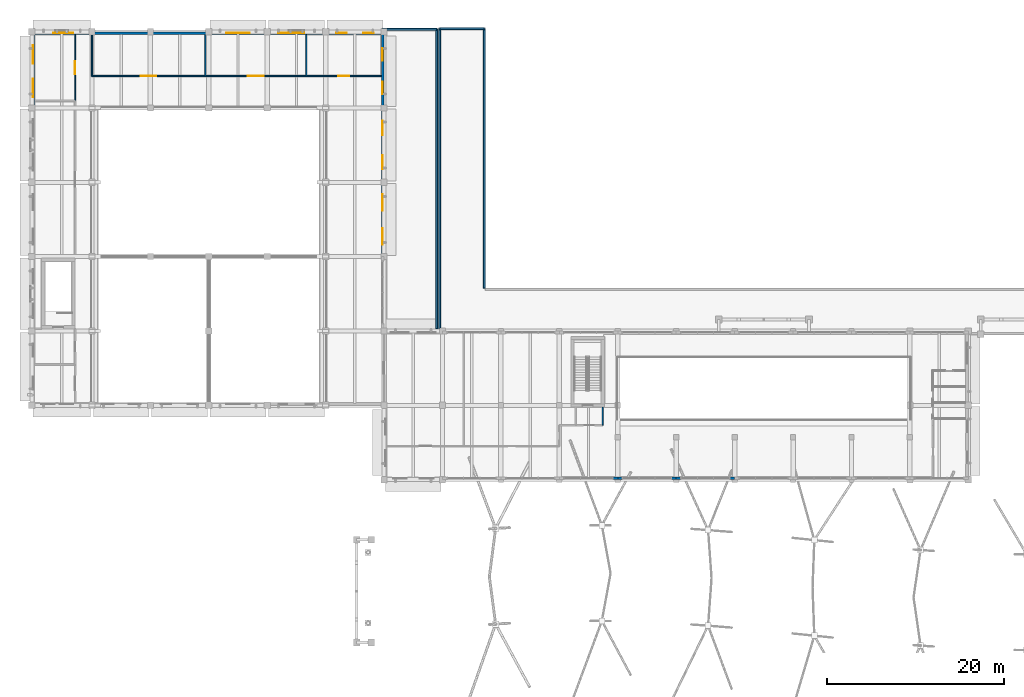
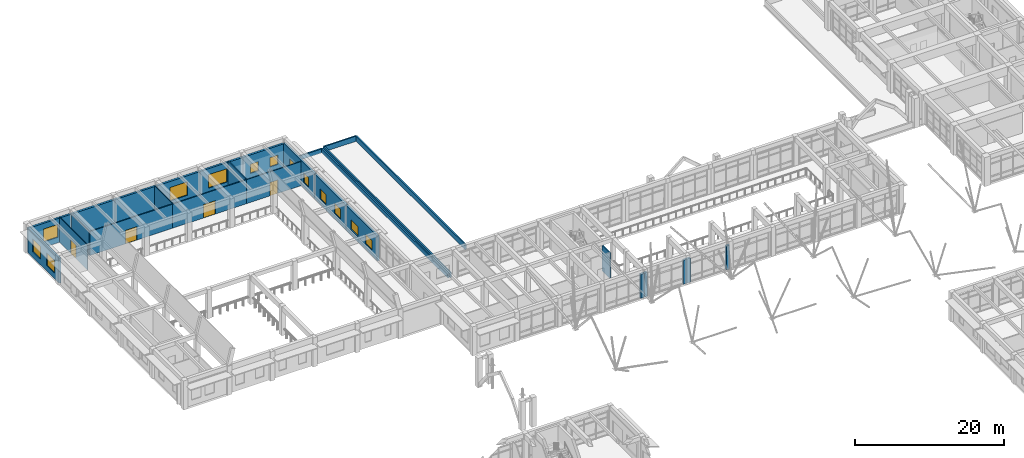
# One storey, part 48 of 75: 28 walls, 13 windows, 4 doors, 17 openings.
"""IFC4 building model written with IfcOpenShell, lengths in metres."""

from ifc_helpers import new_model, si_unit, direction, frame, frame_2d, origin, place, context, subcontext, project, spatial, rectangle, extrude, material, layer, layer_set, type_object, element, fill, save


model = new_model("IFC4")

# Units and contexts
model_context = context("Model", 3, precision=1e-05, world=origin(), true_north=direction((0.0, 1.0)))
body_context = subcontext(model_context, "Body", "Model", "MODEL_VIEW")
ifc_project = project(units=[si_unit("LENGTHUNIT", "METRE"), si_unit("AREAUNIT", "SQUARE_METRE"), si_unit("VOLUMEUNIT", "CUBIC_METRE"), si_unit("PLANEANGLEUNIT", "RADIAN"), si_unit("MASSUNIT", "GRAM", prefix="KILO")], contexts=[model_context])

# Site, building, storey
site_placement = place(None, origin())
site = spatial("IfcSite", under=ifc_project, at=site_placement, CompositionType="ELEMENT")
building_placement = place(site_placement, origin())
building = spatial("IfcBuilding", under=site, at=building_placement, Name="Kolvaren Faculty of Natural Sciences", CompositionType="ELEMENT")
storey_placement = place(building_placement, frame((0.0, 0.0, 5.39990234375)))
storey = spatial("IfcBuildingStorey", under=building, at=storey_placement, Name="L01", CompositionType="ELEMENT", Elevation=5.39990234375)

# Wall
ifc_material_1 = material(Name="Acoustic mineral-wool insulated gypsum partition")
ifc_layer_1 = layer(ifc_material_1, 0.139892578125)
ifc_layer_set_1 = layer_set([ifc_layer_1], Name="Acoustic mineral-wool insulated gypsum partition")
wall_type_1 = type_object("IfcWallType", Name="CommonsPartitionWall_140", PredefinedType="PARTITIONING", material=ifc_layer_set_1)
wall_1_placement = place(storey_placement, frame((31.0, 117.677978515625, 0.0), z_axis=(0.0, 0.0, 1.0), x_axis=(0.0, -1.0, 0.0)))
element("IfcWall", 1, at=wall_1_placement, inside=storey, type_object=wall_type_1, Name="L01 interior partition PW-140", PredefinedType="PARTITIONING", context=body_context, shape_type="SweptSolid", body=[
    extrude(rectangle(XDim=4.677978515625, YDim=0.139892578125, at=frame_2d((2.3388671875, 0.0))), origin(), (0.0, 0.0, 1.0), 4.085205078125),
])

# Wall, opening, door
wall_2_placement = place(storey_placement, frame((31.0, 113.0, 0.0), z_axis=(0.0, 0.0, 1.0), x_axis=(-1.0, 0.0, 0.0)))
wall_2 = element("IfcWall", 2, at=wall_2_placement, inside=storey, type_object=wall_type_1, Name="L01 interior partition PW-140", PredefinedType="PARTITIONING", context=body_context, shape_type="SweptSolid", body=[
    extrude(rectangle(XDim=11.39990234375, YDim=0.139892578125, at=frame_2d((5.699951171875, 0.0))), origin(), (0.0, 0.0, 1.0), 3.93505859375),
])
opening_1_placement = place(wall_2_placement, frame((4.7900390625, 0.0, 0.0)))
opening_1 = element("IfcOpeningElement", 3, at=opening_1_placement, cuts=wall_2, Name="Opening ID-36", PredefinedType="OPENING", context=body_context, shape_type="SweptSolid", body=[
    extrude(rectangle(XDim=1.820068359375, YDim=2.199951171875, at=frame_2d((0.91015625, 1.10009765625))), frame((0.0, 0.079833984375, 0.0), z_axis=(0.0, -1.0, 0.0), x_axis=(1.0, 0.0, 0.0)), (0.0, 0.0, 1.0), 0.159912109375),
])
ifc_material_2 = material(Name="Thermally broken anodised aluminium glazed door", Category="aluminium")
door_type_1 = type_object("IfcDoorType", Name="InteriorRoomDoor_1820x2200", OperationType="DOUBLE_DOOR_SINGLE_SWING", PredefinedType="DOOR", material=ifc_material_2)
door_1_placement = place(opening_1_placement, origin())
door_1 = element("IfcDoor", 4, at=door_1_placement, inside=storey, type_object=door_type_1, Name="D-L01-0120", OperationType="DOUBLE_DOOR_SINGLE_SWING", OverallHeight=2.199951171875, OverallWidth=1.820068359375, PredefinedType="DOOR", context=body_context, shape_type="SweptSolid", body=[
    extrude(rectangle(XDim=1.820068359375, YDim=2.199951171875, at=frame_2d((0.91015625, 1.10009765625))), frame((0.0, 0.02490234375, 0.0), z_axis=(0.0, -1.0, 0.0), x_axis=(1.0, 0.0, 0.0)), (0.0, 0.0, 1.0), 0.050048828125),
])
fill(opening_1, door_1)

# Walls
ifc_layer_2 = layer(ifc_material_1, 0.14501953125)
ifc_layer_set_2 = layer_set([ifc_layer_2], Name="Acoustic mineral-wool insulated gypsum partition")
wall_type_2 = type_object("IfcWallType", Name="CommonsPartitionWall_145", PredefinedType="PARTITIONING", material=ifc_layer_set_2)
wall_3_placement = place(storey_placement, frame((6.800048828125, 113.0, 0.0), z_axis=(0.0, 0.0, 1.0), x_axis=(0.0, 1.0, 0.0)))
element("IfcWall", 5, at=wall_3_placement, inside=storey, type_object=wall_type_2, Name="L01 interior partition PW-145", PredefinedType="PARTITIONING", context=body_context, shape_type="SweptSolid", body=[
    extrude(rectangle(XDim=4.64990234375, YDim=0.14501953125, at=frame_2d((2.324951171875, 0.0))), origin(), (0.0, 0.0, 1.0), 3.93505859375),
])
wall_4_placement = place(storey_placement, frame((19.60009765625, 117.677978515625, 0.0), z_axis=(0.0, 0.0, 1.0), x_axis=(0.0, -1.0, 0.0)))
element("IfcWall", 6, at=wall_4_placement, inside=storey, type_object=wall_type_2, Name="L01 interior partition PW-145", PredefinedType="PARTITIONING", context=body_context, shape_type="SweptSolid", body=[
    extrude(rectangle(XDim=4.677978515625, YDim=0.14501953125, at=frame_2d((2.3388671875, 0.0))), origin(), (0.0, 0.0, 1.0), 4.085205078125),
])

# Wall, opening, door
wall_5_placement = place(storey_placement, frame((19.60009765625, 113.0, 0.0), z_axis=(0.0, 0.0, 1.0), x_axis=(-1.0, 0.0, 0.0)))
wall_5 = element("IfcWall", 7, at=wall_5_placement, inside=storey, type_object=wall_type_2, Name="L01 interior partition PW-145", PredefinedType="PARTITIONING", context=body_context, shape_type="SweptSolid", body=[
    extrude(rectangle(XDim=12.800048828125, YDim=0.14501953125, at=frame_2d((6.39990234375, 0.0))), origin(), (0.0, 0.0, 1.0), 3.93505859375),
])
opening_2_placement = place(wall_5_placement, frame((5.530029296875, 0.0, 0.0)))
opening_2 = element("IfcOpeningElement", 8, at=opening_2_placement, cuts=wall_5, Name="Opening ID-35", PredefinedType="OPENING", context=body_context, shape_type="SweptSolid", body=[
    extrude(rectangle(XDim=1.739990234375, YDim=2.199951171875, at=frame_2d((0.8701171875, 1.10009765625))), frame((0.0, 0.08251953125, 0.0), z_axis=(0.0, -1.0, 0.0), x_axis=(1.0, 0.0, 0.0)), (0.0, 0.0, 1.0), 0.1650390625),
])
door_type_2 = type_object("IfcDoorType", Name="InteriorRoomDoor_1740x2200", OperationType="DOUBLE_DOOR_SINGLE_SWING", PredefinedType="DOOR", material=ifc_material_2)
door_2_placement = place(opening_2_placement, origin())
door_2 = element("IfcDoor", 9, at=door_2_placement, inside=storey, type_object=door_type_2, Name="D-L01-0119", OperationType="DOUBLE_DOOR_SINGLE_SWING", OverallHeight=2.199951171875, OverallWidth=1.739990234375, PredefinedType="DOOR", context=body_context, shape_type="SweptSolid", body=[
    extrude(rectangle(XDim=1.739990234375, YDim=2.199951171875, at=frame_2d((0.8701171875, 1.10009765625))), frame((0.0, 0.02490234375, 0.0), z_axis=(0.0, -1.0, 0.0), x_axis=(1.0, 0.0, 0.0)), (0.0, 0.0, 1.0), 0.050048828125),
])
fill(opening_2, door_2)

# Wall, openings, windows
ifc_material_3 = material(Name="Sandstone-faced insulated cavity masonry", Category="masonry")
ifc_layer_3 = layer(ifc_material_3, 0.320068359375)
ifc_layer_set_3 = layer_set([ifc_layer_3], Name="Sandstone-faced insulated cavity masonry")
wall_type_3 = type_object("IfcWallType", Name="ExteriorCavityWall_320", PredefinedType="STANDARD", material=ifc_layer_set_3)
wall_6_placement = place(storey_placement, frame((0.159912109375, 109.39990234375, 0.0), z_axis=(0.0, 0.0, 1.0), x_axis=(0.0, 1.0, 0.0)))
wall_6 = element("IfcWall", 10, at=wall_6_placement, inside=storey, type_object=wall_type_3, Name="L01 exterior masonry wall EW-320 (261)", PredefinedType="STANDARD", context=body_context, shape_type="SweptSolid", body=[
    extrude(rectangle(XDim=8.280029296875, YDim=0.320068359375, at=frame_2d((4.14013671875, 0.0))), origin(), (0.0, 0.0, 1.0), 4.085205078125),
])
opening_3_placement = place(wall_6_placement, frame((1.185546875, 0.0, 0.89990234375)))
opening_3 = element("IfcOpeningElement", 11, at=opening_3_placement, cuts=wall_6, Name="Opening WIN-07", PredefinedType="OPENING", context=body_context, shape_type="SweptSolid", body=[
    extrude(rectangle(XDim=2.10009765625, YDim=2.10009765625, at=frame_2d((1.050048828125, 1.050048828125))), frame((0.0, 0.169921875, 0.0), z_axis=(0.0, -1.0, 0.0), x_axis=(1.0, 0.0, 0.0)), (0.0, 0.0, 1.0), 0.340087890625),
])
opening_4_placement = place(wall_6_placement, frame((4.994384765625, 0.0, 0.89990234375)))
opening_4 = element("IfcOpeningElement", 12, at=opening_4_placement, cuts=wall_6, Name="Opening WIN-07", PredefinedType="OPENING", context=body_context, shape_type="SweptSolid", body=[
    extrude(rectangle(XDim=2.10009765625, YDim=2.10009765625, at=frame_2d((1.050048828125, 1.050048828125))), frame((0.0, 0.169921875, 0.0), z_axis=(0.0, -1.0, 0.0), x_axis=(1.0, 0.0, 0.0)), (0.0, 0.0, 1.0), 0.340087890625),
])
ifc_material_4 = material(Name="Double low-E solar control insulated glazing", Category="glass")
window_type_1 = type_object("IfcWindowType", Name="AluWindow_WIN07_2100x2100", PartitioningType="SINGLE_PANEL", PredefinedType="WINDOW", material=ifc_material_4)
window_1_placement = place(opening_3_placement, origin())
window_1 = element("IfcWindow", 13, at=window_1_placement, inside=storey, type_object=window_type_1, Name="WIN-L01-0225", OverallHeight=2.10009765625, OverallWidth=2.10009765625, PartitioningType="SINGLE_PANEL", PredefinedType="WINDOW", context=body_context, shape_type="SweptSolid", body=[
    extrude(rectangle(XDim=2.10009765625, YDim=2.10009765625, at=frame_2d((1.050048828125, 1.050048828125))), frame((0.0, 0.030029296875, 0.0), z_axis=(0.0, -1.0, 0.0), x_axis=(1.0, 0.0, 0.0)), (0.0, 0.0, 1.0), 0.06005859375),
])
fill(opening_3, window_1)
window_2_placement = place(opening_4_placement, origin())
window_2 = element("IfcWindow", 14, at=window_2_placement, inside=storey, type_object=window_type_1, Name="WIN-L01-0226", OverallHeight=2.10009765625, OverallWidth=2.10009765625, PartitioningType="SINGLE_PANEL", PredefinedType="WINDOW", context=body_context, shape_type="SweptSolid", body=[
    extrude(rectangle(XDim=2.10009765625, YDim=2.10009765625, at=frame_2d((1.050048828125, 1.050048828125))), frame((0.0, 0.030029296875, 0.0), z_axis=(0.0, -1.0, 0.0), x_axis=(1.0, 0.0, 0.0)), (0.0, 0.0, 1.0), 0.06005859375),
])
fill(opening_4, window_2)

# Wall, opening, window
wall_7_placement = place(storey_placement, frame((0.0, 117.840087890625, 0.0), z_axis=(0.0, 0.0, 1.0), x_axis=(1.0, 0.0, 0.0)))
wall_7 = element("IfcWall", 15, at=wall_7_placement, inside=storey, type_object=wall_type_3, Name="L01 exterior masonry wall EW-320 (262)", PredefinedType="STANDARD", context=body_context, shape_type="SweptSolid", body=[
    extrude(rectangle(XDim=6.800048828125, YDim=0.320068359375, at=frame_2d((3.39990234375, 0.0))), origin(), (0.0, 0.0, 1.0), 3.93505859375),
])
opening_5_placement = place(wall_7_placement, frame((2.409912109375, 0.0, 0.89990234375)))
opening_5 = element("IfcOpeningElement", 16, at=opening_5_placement, cuts=wall_7, Name="Opening WIN-08", PredefinedType="OPENING", context=body_context, shape_type="SweptSolid", body=[
    extrude(rectangle(XDim=2.25, YDim=2.10009765625, at=frame_2d((1.125, 1.050048828125))), frame((0.0, 0.169921875, 0.0), z_axis=(0.0, -1.0, 0.0), x_axis=(1.0, 0.0, 0.0)), (0.0, 0.0, 1.0), 0.340087890625),
])
window_type_2 = type_object("IfcWindowType", Name="AluWindow_WIN08_2250x2100", PartitioningType="SINGLE_PANEL", PredefinedType="WINDOW", material=ifc_material_4)
window_3_placement = place(opening_5_placement, origin())
window_3 = element("IfcWindow", 17, at=window_3_placement, inside=storey, type_object=window_type_2, Name="WIN-L01-0227", OverallHeight=2.10009765625, OverallWidth=2.25, PartitioningType="SINGLE_PANEL", PredefinedType="WINDOW", context=body_context, shape_type="SweptSolid", body=[
    extrude(rectangle(XDim=2.25, YDim=2.10009765625, at=frame_2d((1.125, 1.050048828125))), frame((0.0, 0.030029296875, 0.0), z_axis=(0.0, -1.0, 0.0), x_axis=(1.0, 0.0, 0.0)), (0.0, 0.0, 1.0), 0.06005859375),
])
fill(opening_5, window_3)

# Walls
wall_8_placement = place(storey_placement, frame((6.800048828125, 117.840087890625, 0.0), z_axis=(0.0, 0.0, 1.0), x_axis=(1.0, 0.0, 0.0)))
element("IfcWall", 18, at=wall_8_placement, inside=storey, type_object=wall_type_3, Name="L01 exterior masonry wall EW-320 (263)", PredefinedType="STANDARD", context=body_context, shape_type="SweptSolid", body=[
    extrude(rectangle(XDim=6.599853515625, YDim=0.320068359375, at=frame_2d((3.2998046875, 0.0))), origin(), (0.0, 0.0, 1.0), 3.93505859375),
])
wall_9_placement = place(storey_placement, frame((13.39990234375, 117.840087890625, 0.0), z_axis=(0.0, 0.0, 1.0), x_axis=(1.0, 0.0, 0.0)))
element("IfcWall", 19, at=wall_9_placement, inside=storey, type_object=wall_type_3, Name="L01 exterior masonry wall EW-320 (264)", PredefinedType="STANDARD", context=body_context, shape_type="SweptSolid", body=[
    extrude(rectangle(XDim=6.60009765625, YDim=0.320068359375, at=frame_2d((3.300048828125, 0.0))), origin(), (0.0, 0.0, 1.0), 3.93505859375),
])

# Wall, opening, window
wall_10_placement = place(storey_placement, frame((20.0, 117.840087890625, 0.0), z_axis=(0.0, 0.0, 1.0), x_axis=(1.0, 0.0, 0.0)))
wall_10 = element("IfcWall", 20, at=wall_10_placement, inside=storey, type_object=wall_type_3, Name="L01 exterior masonry wall EW-320 (265)", PredefinedType="STANDARD", context=body_context, shape_type="SweptSolid", body=[
    extrude(rectangle(XDim=6.60009765625, YDim=0.320068359375, at=frame_2d((3.300048828125, 0.0))), origin(), (0.0, 0.0, 1.0), 3.93505859375),
])
opening_6_placement = place(wall_10_placement, frame((1.949951171875, 0.0, 0.75)))
opening_6 = element("IfcOpeningElement", 21, at=opening_6_placement, cuts=wall_10, Name="Opening WIN-11", PredefinedType="OPENING", context=body_context, shape_type="SweptSolid", body=[
    extrude(rectangle(XDim=2.699951171875, YDim=2.199951171875, at=frame_2d((1.35009765625, 1.10009765625))), frame((0.0, 0.169921875, 0.0), z_axis=(0.0, -1.0, 0.0), x_axis=(1.0, 0.0, 0.0)), (0.0, 0.0, 1.0), 0.340087890625),
])
window_type_3 = type_object("IfcWindowType", Name="AluWindow_WIN11_2700x2200", PartitioningType="SINGLE_PANEL", PredefinedType="WINDOW", material=ifc_material_4)
window_4_placement = place(opening_6_placement, origin())
window_4 = element("IfcWindow", 22, at=window_4_placement, inside=storey, type_object=window_type_3, Name="WIN-L01-0228", OverallHeight=2.199951171875, OverallWidth=2.699951171875, PartitioningType="SINGLE_PANEL", PredefinedType="WINDOW", context=body_context, shape_type="SweptSolid", body=[
    extrude(rectangle(XDim=2.699951171875, YDim=2.199951171875, at=frame_2d((1.35009765625, 1.10009765625))), frame((0.0, 0.030029296875, 0.0), z_axis=(0.0, -1.0, 0.0), x_axis=(1.0, 0.0, 0.0)), (0.0, 0.0, 1.0), 0.06005859375),
])
fill(opening_6, window_4)

wall_11_placement = place(storey_placement, frame((26.60009765625, 117.840087890625, 0.0), z_axis=(0.0, 0.0, 1.0), x_axis=(1.0, 0.0, 0.0)))
wall_11 = element("IfcWall", 23, at=wall_11_placement, inside=storey, type_object=wall_type_3, Name="L01 exterior masonry wall EW-320 (266)", PredefinedType="STANDARD", context=body_context, shape_type="SweptSolid", body=[
    extrude(rectangle(XDim=6.599853515625, YDim=0.320068359375, at=frame_2d((3.2998046875, 0.0))), origin(), (0.0, 0.0, 1.0), 3.93505859375),
])
opening_7_placement = place(wall_11_placement, frame((1.260009765625, 0.0, 0.75)))
opening_7 = element("IfcOpeningElement", 24, at=opening_7_placement, cuts=wall_11, Name="Opening WIN-12", PredefinedType="OPENING", context=body_context, shape_type="SweptSolid", body=[
    extrude(rectangle(XDim=2.89990234375, YDim=2.199951171875, at=frame_2d((1.449951171875, 1.10009765625))), frame((0.0, 0.169921875, 0.0), z_axis=(0.0, -1.0, 0.0), x_axis=(1.0, 0.0, 0.0)), (0.0, 0.0, 1.0), 0.340087890625),
])
window_type_4 = type_object("IfcWindowType", Name="AluWindow_WIN12_2900x2200", PartitioningType="SINGLE_PANEL", PredefinedType="WINDOW", material=ifc_material_4)
window_5_placement = place(opening_7_placement, origin())
window_5 = element("IfcWindow", 25, at=window_5_placement, inside=storey, type_object=window_type_4, Name="WIN-L01-0229", OverallHeight=2.199951171875, OverallWidth=2.89990234375, PartitioningType="SINGLE_PANEL", PredefinedType="WINDOW", context=body_context, shape_type="SweptSolid", body=[
    extrude(rectangle(XDim=2.89990234375, YDim=2.199951171875, at=frame_2d((1.449951171875, 1.10009765625))), frame((0.0, 0.030029296875, 0.0), z_axis=(0.0, -1.0, 0.0), x_axis=(1.0, 0.0, 0.0)), (0.0, 0.0, 1.0), 0.06005859375),
])
fill(opening_7, window_5)

# Wall, openings, windows
wall_12_placement = place(storey_placement, frame((33.199951171875, 117.840087890625, 0.0), z_axis=(0.0, 0.0, 1.0), x_axis=(1.0, 0.0, 0.0)))
wall_12 = element("IfcWall", 26, at=wall_12_placement, inside=storey, type_object=wall_type_3, Name="L01 exterior masonry wall EW-320 (267)", PredefinedType="STANDARD", context=body_context, shape_type="SweptSolid", body=[
    extrude(rectangle(XDim=6.60009765625, YDim=0.320068359375, at=frame_2d((3.300048828125, 0.0))), origin(), (0.0, 0.0, 1.0), 3.93505859375),
])
opening_8_placement = place(wall_12_placement, frame((1.181884765625, 0.0, 0.89990234375)))
opening_8 = element("IfcOpeningElement", 27, at=opening_8_placement, cuts=wall_12, Name="Opening WIN-13", PredefinedType="OPENING", context=body_context, shape_type="SweptSolid", body=[
    extrude(rectangle(XDim=1.199951171875, YDim=1.5, at=frame_2d((0.60009765625, 0.75))), frame((0.0, 0.169921875, 0.0), z_axis=(0.0, -1.0, 0.0), x_axis=(1.0, 0.0, 0.0)), (0.0, 0.0, 1.0), 0.340087890625),
])
opening_9_placement = place(wall_12_placement, frame((4.218017578125, 0.0, 0.89990234375)))
opening_9 = element("IfcOpeningElement", 28, at=opening_9_placement, cuts=wall_12, Name="Opening WIN-13", PredefinedType="OPENING", context=body_context, shape_type="SweptSolid", body=[
    extrude(rectangle(XDim=1.199951171875, YDim=1.5, at=frame_2d((0.60009765625, 0.75))), frame((0.0, 0.169921875, 0.0), z_axis=(0.0, -1.0, 0.0), x_axis=(1.0, 0.0, 0.0)), (0.0, 0.0, 1.0), 0.340087890625),
])
window_type_5 = type_object("IfcWindowType", Name="AluWindow_WIN13_1200x1500", PartitioningType="SINGLE_PANEL", PredefinedType="WINDOW", material=ifc_material_4)
window_6_placement = place(opening_8_placement, origin())
window_6 = element("IfcWindow", 29, at=window_6_placement, inside=storey, type_object=window_type_5, Name="WIN-L01-0230", OverallHeight=1.5, OverallWidth=1.199951171875, PartitioningType="SINGLE_PANEL", PredefinedType="WINDOW", context=body_context, shape_type="SweptSolid", body=[
    extrude(rectangle(XDim=1.199951171875, YDim=1.5, at=frame_2d((0.60009765625, 0.75))), frame((0.0, 0.030029296875, 0.0), z_axis=(0.0, -1.0, 0.0), x_axis=(1.0, 0.0, 0.0)), (0.0, 0.0, 1.0), 0.06005859375),
])
fill(opening_8, window_6)
window_7_placement = place(opening_9_placement, origin())
window_7 = element("IfcWindow", 30, at=window_7_placement, inside=storey, type_object=window_type_5, Name="WIN-L01-0231", OverallHeight=1.5, OverallWidth=1.199951171875, PartitioningType="SINGLE_PANEL", PredefinedType="WINDOW", context=body_context, shape_type="SweptSolid", body=[
    extrude(rectangle(XDim=1.199951171875, YDim=1.5, at=frame_2d((0.60009765625, 0.75))), frame((0.0, 0.030029296875, 0.0), z_axis=(0.0, -1.0, 0.0), x_axis=(1.0, 0.0, 0.0)), (0.0, 0.0, 1.0), 0.06005859375),
])
fill(opening_9, window_7)

wall_13_placement = place(storey_placement, frame((39.639892578125, 117.679931640625, 0.0), z_axis=(0.0, 0.0, 1.0), x_axis=(0.0, -1.0, 0.0)))
wall_13 = element("IfcWall", 31, at=wall_13_placement, inside=storey, type_object=wall_type_3, Name="L01 exterior masonry wall EW-320 (268)", PredefinedType="STANDARD", context=body_context, shape_type="SweptSolid", body=[
    extrude(rectangle(XDim=8.280029296875, YDim=0.320068359375, at=frame_2d((4.14013671875, 0.0))), origin(), (0.0, 0.0, 1.0), 4.085205078125),
])
opening_10_placement = place(wall_13_placement, frame((1.53564453125, 0.0, 0.89990234375)))
opening_10 = element("IfcOpeningElement", 32, at=opening_10_placement, cuts=wall_13, Name="Opening WIN-14", PredefinedType="OPENING", context=body_context, shape_type="SweptSolid", body=[
    extrude(rectangle(XDim=1.39990234375, YDim=1.550048828125, at=frame_2d((0.699951171875, 0.77490234375))), frame((0.0, 0.169921875, 0.0), z_axis=(0.0, -1.0, 0.0), x_axis=(1.0, 0.0, 0.0)), (0.0, 0.0, 1.0), 0.340087890625),
])
opening_11_placement = place(wall_13_placement, frame((5.344482421875, 0.0, 0.89990234375)))
opening_11 = element("IfcOpeningElement", 33, at=opening_11_placement, cuts=wall_13, Name="Opening WIN-14", PredefinedType="OPENING", context=body_context, shape_type="SweptSolid", body=[
    extrude(rectangle(XDim=1.39990234375, YDim=1.550048828125, at=frame_2d((0.699951171875, 0.77490234375))), frame((0.0, 0.169921875, 0.0), z_axis=(0.0, -1.0, 0.0), x_axis=(1.0, 0.0, 0.0)), (0.0, 0.0, 1.0), 0.340087890625),
])
window_type_6 = type_object("IfcWindowType", Name="AluWindow_WIN14_1400x1550", PartitioningType="SINGLE_PANEL", PredefinedType="WINDOW", material=ifc_material_4)
window_8_placement = place(opening_10_placement, origin())
window_8 = element("IfcWindow", 34, at=window_8_placement, inside=storey, type_object=window_type_6, Name="WIN-L01-0232", OverallHeight=1.550048828125, OverallWidth=1.39990234375, PartitioningType="SINGLE_PANEL", PredefinedType="WINDOW", context=body_context, shape_type="SweptSolid", body=[
    extrude(rectangle(XDim=1.39990234375, YDim=1.550048828125, at=frame_2d((0.699951171875, 0.77490234375))), frame((0.0, 0.030029296875, 0.0), z_axis=(0.0, -1.0, 0.0), x_axis=(1.0, 0.0, 0.0)), (0.0, 0.0, 1.0), 0.06005859375),
])
fill(opening_10, window_8)
window_9_placement = place(opening_11_placement, origin())
window_9 = element("IfcWindow", 35, at=window_9_placement, inside=storey, type_object=window_type_6, Name="WIN-L01-0233", OverallHeight=1.550048828125, OverallWidth=1.39990234375, PartitioningType="SINGLE_PANEL", PredefinedType="WINDOW", context=body_context, shape_type="SweptSolid", body=[
    extrude(rectangle(XDim=1.39990234375, YDim=1.550048828125, at=frame_2d((0.699951171875, 0.77490234375))), frame((0.0, 0.030029296875, 0.0), z_axis=(0.0, -1.0, 0.0), x_axis=(1.0, 0.0, 0.0)), (0.0, 0.0, 1.0), 0.06005859375),
])
fill(opening_11, window_9)

wall_14_placement = place(storey_placement, frame((39.639892578125, 109.39990234375, 0.0), z_axis=(0.0, 0.0, 1.0), x_axis=(0.0, -1.0, 0.0)))
wall_14 = element("IfcWall", 36, at=wall_14_placement, inside=storey, type_object=wall_type_3, Name="L01 exterior masonry wall EW-320 (269)", PredefinedType="STANDARD", context=body_context, shape_type="SweptSolid", body=[
    extrude(rectangle(XDim=8.39990234375, YDim=0.320068359375, at=frame_2d((4.199951171875, 0.0))), origin(), (0.0, 0.0, 1.0), 4.085205078125),
])
opening_12_placement = place(wall_14_placement, frame((1.468017578125, 0.0, 0.89990234375)))
opening_12 = element("IfcOpeningElement", 37, at=opening_12_placement, cuts=wall_14, Name="Opening WIN-15", PredefinedType="OPENING", context=body_context, shape_type="SweptSolid", body=[
    extrude(rectangle(XDim=1.60009765625, YDim=1.60009765625, at=frame_2d((0.800048828125, 0.800048828125))), frame((0.0, 0.169921875, 0.0), z_axis=(0.0, -1.0, 0.0), x_axis=(1.0, 0.0, 0.0)), (0.0, 0.0, 1.0), 0.340087890625),
])
opening_13_placement = place(wall_14_placement, frame((5.33203125, 0.0, 0.89990234375)))
opening_13 = element("IfcOpeningElement", 38, at=opening_13_placement, cuts=wall_14, Name="Opening WIN-15", PredefinedType="OPENING", context=body_context, shape_type="SweptSolid", body=[
    extrude(rectangle(XDim=1.60009765625, YDim=1.60009765625, at=frame_2d((0.800048828125, 0.800048828125))), frame((0.0, 0.169921875, 0.0), z_axis=(0.0, -1.0, 0.0), x_axis=(1.0, 0.0, 0.0)), (0.0, 0.0, 1.0), 0.340087890625),
])
window_type_7 = type_object("IfcWindowType", Name="AluWindow_WIN15_1600x1600", PartitioningType="SINGLE_PANEL", PredefinedType="WINDOW", material=ifc_material_4)
window_10_placement = place(opening_12_placement, origin())
window_10 = element("IfcWindow", 39, at=window_10_placement, inside=storey, type_object=window_type_7, Name="WIN-L01-0234", OverallHeight=1.60009765625, OverallWidth=1.60009765625, PartitioningType="SINGLE_PANEL", PredefinedType="WINDOW", context=body_context, shape_type="SweptSolid", body=[
    extrude(rectangle(XDim=1.60009765625, YDim=1.60009765625, at=frame_2d((0.800048828125, 0.800048828125))), frame((0.0, 0.030029296875, 0.0), z_axis=(0.0, -1.0, 0.0), x_axis=(1.0, 0.0, 0.0)), (0.0, 0.0, 1.0), 0.06005859375),
])
fill(opening_12, window_10)
window_11_placement = place(opening_13_placement, origin())
window_11 = element("IfcWindow", 40, at=window_11_placement, inside=storey, type_object=window_type_7, Name="WIN-L01-0235", OverallHeight=1.60009765625, OverallWidth=1.60009765625, PartitioningType="SINGLE_PANEL", PredefinedType="WINDOW", context=body_context, shape_type="SweptSolid", body=[
    extrude(rectangle(XDim=1.60009765625, YDim=1.60009765625, at=frame_2d((0.800048828125, 0.800048828125))), frame((0.0, 0.030029296875, 0.0), z_axis=(0.0, -1.0, 0.0), x_axis=(1.0, 0.0, 0.0)), (0.0, 0.0, 1.0), 0.06005859375),
])
fill(opening_13, window_11)

wall_15_placement = place(storey_placement, frame((39.639892578125, 101.0, 0.0), z_axis=(0.0, 0.0, 1.0), x_axis=(0.0, -1.0, 0.0)))
wall_15 = element("IfcWall", 41, at=wall_15_placement, inside=storey, type_object=wall_type_3, Name="L01 exterior masonry wall EW-320 (270)", PredefinedType="STANDARD", context=body_context, shape_type="SweptSolid", body=[
    extrude(rectangle(XDim=8.39990234375, YDim=0.320068359375, at=frame_2d((4.199951171875, 0.0))), origin(), (0.0, 0.0, 1.0), 4.085205078125),
])
opening_14_placement = place(wall_15_placement, frame((1.343017578125, 0.0, 0.89990234375)))
opening_14 = element("IfcOpeningElement", 42, at=opening_14_placement, cuts=wall_15, Name="Opening WIN-16", PredefinedType="OPENING", context=body_context, shape_type="SweptSolid", body=[
    extrude(rectangle(XDim=1.85009765625, YDim=1.60009765625, at=frame_2d((0.925048828125, 0.800048828125))), frame((0.0, 0.169921875, 0.0), z_axis=(0.0, -1.0, 0.0), x_axis=(1.0, 0.0, 0.0)), (0.0, 0.0, 1.0), 0.340087890625),
])
opening_15_placement = place(wall_15_placement, frame((5.20703125, 0.0, 0.89990234375)))
opening_15 = element("IfcOpeningElement", 43, at=opening_15_placement, cuts=wall_15, Name="Opening WIN-16", PredefinedType="OPENING", context=body_context, shape_type="SweptSolid", body=[
    extrude(rectangle(XDim=1.85009765625, YDim=1.60009765625, at=frame_2d((0.925048828125, 0.800048828125))), frame((0.0, 0.169921875, 0.0), z_axis=(0.0, -1.0, 0.0), x_axis=(1.0, 0.0, 0.0)), (0.0, 0.0, 1.0), 0.340087890625),
])
window_type_8 = type_object("IfcWindowType", Name="AluWindow_WIN16_1850x1600", PartitioningType="SINGLE_PANEL", PredefinedType="WINDOW", material=ifc_material_4)
window_12_placement = place(opening_14_placement, origin())
window_12 = element("IfcWindow", 44, at=window_12_placement, inside=storey, type_object=window_type_8, Name="WIN-L01-0236", OverallHeight=1.60009765625, OverallWidth=1.85009765625, PartitioningType="SINGLE_PANEL", PredefinedType="WINDOW", context=body_context, shape_type="SweptSolid", body=[
    extrude(rectangle(XDim=1.85009765625, YDim=1.60009765625, at=frame_2d((0.925048828125, 0.800048828125))), frame((0.0, 0.030029296875, 0.0), z_axis=(0.0, -1.0, 0.0), x_axis=(1.0, 0.0, 0.0)), (0.0, 0.0, 1.0), 0.06005859375),
])
fill(opening_14, window_12)
window_13_placement = place(opening_15_placement, origin())
window_13 = element("IfcWindow", 45, at=window_13_placement, inside=storey, type_object=window_type_8, Name="WIN-L01-0237", OverallHeight=1.60009765625, OverallWidth=1.85009765625, PartitioningType="SINGLE_PANEL", PredefinedType="WINDOW", context=body_context, shape_type="SweptSolid", body=[
    extrude(rectangle(XDim=1.85009765625, YDim=1.60009765625, at=frame_2d((0.925048828125, 0.800048828125))), frame((0.0, 0.030029296875, 0.0), z_axis=(0.0, -1.0, 0.0), x_axis=(1.0, 0.0, 0.0)), (0.0, 0.0, 1.0), 0.06005859375),
])
fill(opening_15, window_13)

# Walls
for number, where, z_axis, x_axis, name in (
    (46, (79.39990234375, 67.56005859375, 0.0), (0.0, 0.0, 1.0), (-1.0, 0.0, 0.0), "L01 curtain-wall pier stub 302"),
    (47, (73.320068359375, 67.56005859375, 0.0), (0.0, 0.0, 1.0), (-1.0, 0.0, 0.0), "L01 curtain-wall pier stub 303"),
    (48, (72.800048828125, 67.56005859375, 0.0), (0.0, 0.0, 1.0), (-1.0, 0.0, 0.0), "L01 curtain-wall pier stub 304"),
    (49, (66.719970703125, 67.56005859375, 0.0), (0.0, 0.0, 1.0), (-1.0, 0.0, 0.0), "L01 curtain-wall pier stub 305"),
    (50, (66.199951171875, 67.56005859375, 0.0), (0.0, 0.0, 1.0), (-1.0, 0.0, 0.0), "L01 curtain-wall pier stub 306"),
):
    element("IfcWall", number, at=place(storey_placement, frame(where, z_axis=z_axis, x_axis=x_axis)), inside=storey, type_object=wall_type_3, Name=name, PredefinedType="STANDARD", context=body_context, shape_type="SweptSolid", body=[
        extrude(rectangle(XDim=0.52001953125, YDim=0.320068359375, at=frame_2d((0.260009765625, 0.0))), origin(), (0.0, 0.0, 1.0), 3.93505859375),
    ])

# Wall, opening, door
ifc_layer_4 = layer(ifc_material_1, 0.1298828125)
ifc_layer_set_4 = layer_set([ifc_layer_4], Name="Acoustic mineral-wool insulated gypsum partition")
wall_type_4 = type_object("IfcWallType", Name="OfficePartitionWall_130", PredefinedType="PARTITIONING", material=ifc_layer_set_4)
wall_16_placement = place(storey_placement, frame((39.47802734375, 113.0, 0.0), z_axis=(0.0, 0.0, 1.0), x_axis=(-1.0, 0.0, 0.0)))
wall_16 = element("IfcWall", 51, at=wall_16_placement, inside=storey, type_object=wall_type_4, Name="L01 interior partition PW-130", PredefinedType="PARTITIONING", context=body_context, shape_type="SweptSolid", body=[
    extrude(rectangle(XDim=8.47802734375, YDim=0.1298828125, at=frame_2d((4.239013671875, 0.0))), origin(), (0.0, 0.0, 1.0), 3.93505859375),
])
opening_16_placement = place(wall_16_placement, frame((3.62890625, 0.0, 0.0)))
opening_16 = element("IfcOpeningElement", 52, at=opening_16_placement, cuts=wall_16, Name="Opening ID-37", PredefinedType="OPENING", context=body_context, shape_type="SweptSolid", body=[
    extrude(rectangle(XDim=1.219970703125, YDim=2.179931640625, at=frame_2d((0.60986328125, 1.08984375))), frame((0.0, 0.074951171875, 0.0), z_axis=(0.0, -1.0, 0.0), x_axis=(1.0, 0.0, 0.0)), (0.0, 0.0, 1.0), 0.14990234375),
])
ifc_material_5 = material(Name="Solid-core hardwood veneer door leaf in steel frame", Category="steel")
door_type_3 = type_object("IfcDoorType", Name="InteriorRoomDoor_1220x2180", OperationType="NOTDEFINED", PredefinedType="DOOR", material=ifc_material_5)
door_3_placement = place(opening_16_placement, origin())
door_3 = element("IfcDoor", 53, at=door_3_placement, inside=storey, type_object=door_type_3, Name="D-L01-0121", OperationType="SINGLE_SWING_LEFT", OverallHeight=2.179931640625, OverallWidth=1.219970703125, PredefinedType="DOOR", context=body_context, shape_type="SweptSolid", body=[
    extrude(rectangle(XDim=1.219970703125, YDim=2.179931640625, at=frame_2d((0.60986328125, 1.08984375))), frame((0.0, 0.02490234375, 0.0), z_axis=(0.0, -1.0, 0.0), x_axis=(1.0, 0.0, 0.0)), (0.0, 0.0, 1.0), 0.050048828125),
])
fill(opening_16, door_3)

wall_17_placement = place(storey_placement, frame((4.89990234375, 117.677978515625, 0.0), z_axis=(0.0, 0.0, 1.0), x_axis=(0.0, -1.0, 0.0)))
wall_17 = element("IfcWall", 54, at=wall_17_placement, inside=storey, type_object=wall_type_4, Name="L01 interior partition PW-130", PredefinedType="PARTITIONING", context=body_context, shape_type="SweptSolid", body=[
    extrude(rectangle(XDim=7.47802734375, YDim=0.1298828125, at=frame_2d((3.739013671875, 0.0))), origin(), (0.0, 0.0, 1.0), 4.085205078125),
])
opening_17_placement = place(wall_17_placement, frame((3.009033203125, 0.0, 0.0)))
opening_17 = element("IfcOpeningElement", 55, at=opening_17_placement, cuts=wall_17, Name="Opening ID-32", PredefinedType="OPENING", context=body_context, shape_type="SweptSolid", body=[
    extrude(rectangle(XDim=1.4599609375, YDim=2.199951171875, at=frame_2d((0.72998046875, 1.10009765625))), frame((0.0, 0.074951171875, 0.0), z_axis=(0.0, -1.0, 0.0), x_axis=(1.0, 0.0, 0.0)), (0.0, 0.0, 1.0), 0.14990234375),
])
door_type_4 = type_object("IfcDoorType", Name="InteriorRoomDoor_1460x2200", OperationType="DOUBLE_DOOR_SINGLE_SWING", PredefinedType="DOOR", material=ifc_material_2)
door_4_placement = place(opening_17_placement, origin())
door_4 = element("IfcDoor", 56, at=door_4_placement, inside=storey, type_object=door_type_4, Name="D-L01-0168", OperationType="DOUBLE_DOOR_SINGLE_SWING", OverallHeight=2.199951171875, OverallWidth=1.4599609375, PredefinedType="DOOR", context=body_context, shape_type="SweptSolid", body=[
    extrude(rectangle(XDim=1.4599609375, YDim=2.199951171875, at=frame_2d((0.72998046875, 1.10009765625))), frame((0.0, 0.02490234375, 0.0), z_axis=(0.0, -1.0, 0.0), x_axis=(1.0, 0.0, 0.0)), (0.0, 0.0, 1.0), 0.050048828125),
])
fill(opening_17, door_4)

# Walls
ifc_material_6 = material(Name="Precast concrete C35/45", Category="concrete")
ifc_layer_5 = layer(ifc_material_6, 0.219970703125)
ifc_layer_set_5 = layer_set([ifc_layer_5], Name="Precast concrete C35/45")
wall_type_5 = type_object("IfcWallType", Name="ParapetUpstandWall_220", PredefinedType="PARAPET", material=ifc_layer_set_5)
wall_18_placement = place(storey_placement, frame((46.10009765625, 84.3798828125, 0.0), z_axis=(0.0, 0.0, 1.0), x_axis=(0.0, 1.0, 0.0)))
element("IfcWall", 57, at=wall_18_placement, inside=storey, type_object=wall_type_5, Name="L01 Mughal colonnade roof parapet upstand 9", PredefinedType="PARAPET", context=body_context, shape_type="SweptSolid", body=[
    extrude(rectangle(XDim=33.9501953125, YDim=0.219970703125, at=frame_2d((16.97509765625, 0.0))), origin(), (0.0, 0.0, 1.0), 0.85009765625),
])
wall_19_placement = place(storey_placement, frame((46.10009765625, 118.330078125, 0.0), z_axis=(0.0, 0.0, 1.0), x_axis=(1.0, 0.0, 0.0)))
element("IfcWall", 58, at=wall_19_placement, inside=storey, type_object=wall_type_5, Name="L01 Mughal colonnade roof parapet upstand 10", PredefinedType="PARAPET", context=body_context, shape_type="SweptSolid", body=[
    extrude(rectangle(XDim=5.0, YDim=0.219970703125, at=frame_2d((2.5, 0.0))), origin(), (0.0, 0.0, 1.0), 0.85009765625),
])
wall_20_placement = place(storey_placement, frame((51.10009765625, 118.330078125, 0.0), z_axis=(0.0, 0.0, 1.0), x_axis=(0.0, -1.0, 0.0)))
element("IfcWall", 59, at=wall_20_placement, inside=storey, type_object=wall_type_5, Name="L01 Mughal colonnade roof parapet upstand 11", PredefinedType="PARAPET", context=body_context, shape_type="SweptSolid", body=[
    extrude(rectangle(XDim=29.280029296875, YDim=0.219970703125, at=frame_2d((14.64013671875, 0.0))), origin(), (0.0, 0.0, 1.0), 0.85009765625),
])
wall_21_placement = place(storey_placement, frame((39.570068359375, 118.280029296875, 0.0), z_axis=(0.0, 0.0, 1.0), x_axis=(1.0, 0.0, 0.0)))
element("IfcWall", 60, at=wall_21_placement, inside=storey, type_object=wall_type_5, Name="L01 architectural sandstone roof parapet 14", PredefinedType="PARAPET", context=body_context, shape_type="SweptSolid", body=[
    extrude(rectangle(XDim=6.199951171875, YDim=0.219970703125, at=frame_2d((3.10009765625, 0.0))), origin(), (0.0, 0.0, 1.0), 0.68017578125),
])
wall_22_placement = place(storey_placement, frame((45.77001953125, 118.280029296875, 0.0), z_axis=(0.0, 0.0, 1.0), x_axis=(0.0, -1.0, 0.0)))
element("IfcWall", 61, at=wall_22_placement, inside=storey, type_object=wall_type_5, Name="L01 architectural sandstone roof parapet 15", PredefinedType="PARAPET", context=body_context, shape_type="SweptSolid", body=[
    extrude(rectangle(XDim=33.830078125, YDim=0.219970703125, at=frame_2d((16.9150390625, 0.0))), origin(), (0.0, 0.0, 1.0), 0.68017578125),
])
ifc_material_7 = material(Name="Double fire-rated gypsum board on 100 mm steel stud", Category="steel")
ifc_layer_6 = layer(ifc_material_7, 0.14990234375)
ifc_layer_set_6 = layer_set([ifc_layer_6], Name="Double fire-rated gypsum board on 100 mm steel stud")
wall_type_6 = type_object("IfcWallType", Name="RatedCorridorWall_150", PredefinedType="PARTITIONING", material=ifc_layer_set_6)
wall_23_placement = place(storey_placement, frame((64.5, 75.597900390625, 0.0), z_axis=(0.0, 0.0, 1.0), x_axis=(0.0, -1.0, 0.0)))
element("IfcWall", 62, at=wall_23_placement, inside=storey, type_object=wall_type_6, Name="L01 interior partition LW-150", PredefinedType="PARTITIONING", context=body_context, shape_type="SweptSolid", body=[
    extrude(rectangle(XDim=2.0478515625, YDim=0.14990234375, at=frame_2d((1.02392578125, 0.0))), origin(), (0.0, 0.0, 1.0), 4.135009765625),
])

save(model, "model.ifc")
